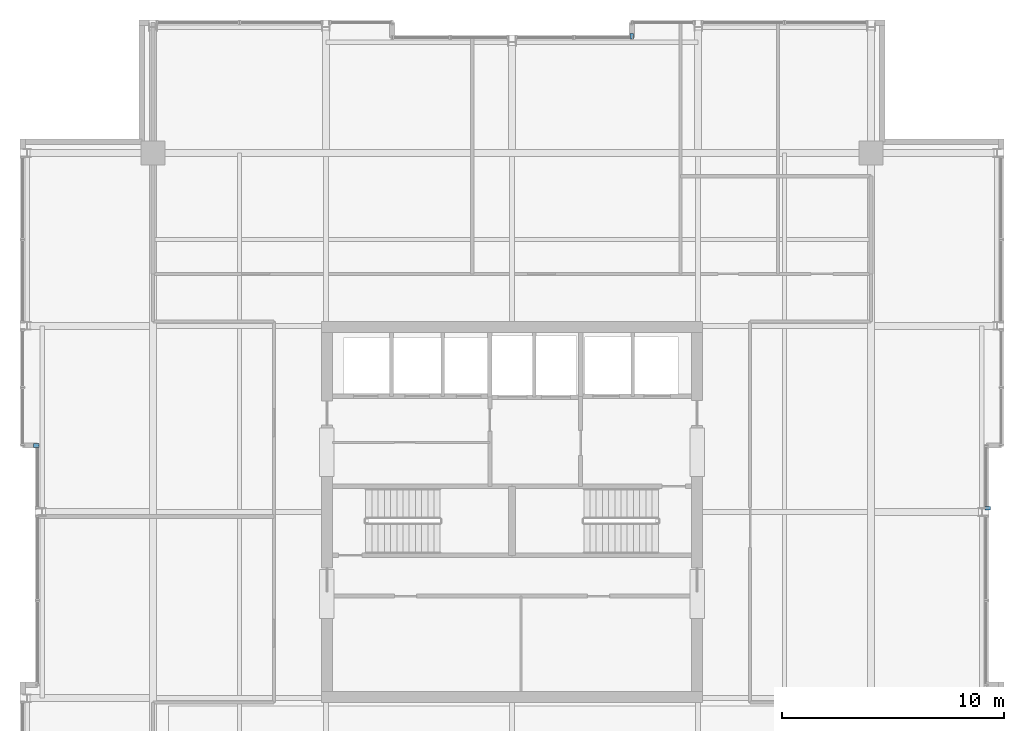
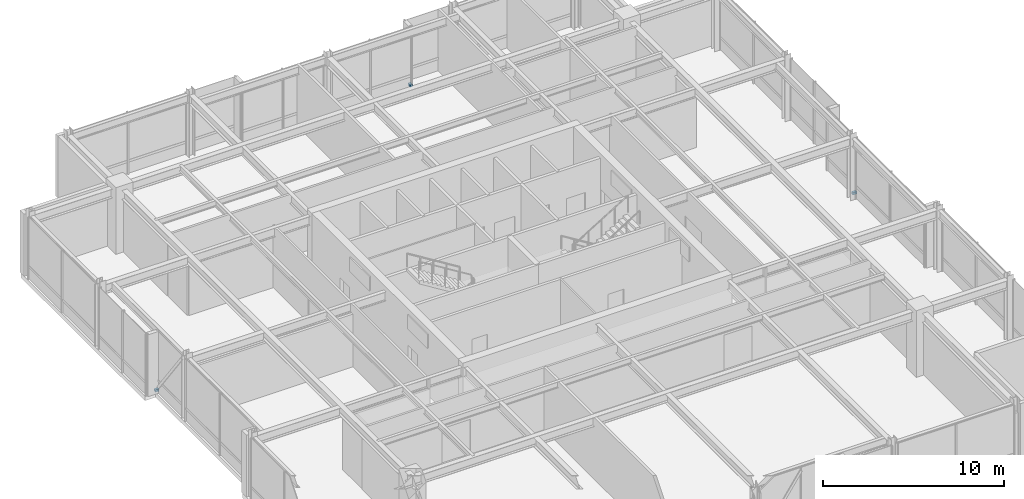
# One storey, part 29 of 32: 3 discrete accessories.
"""IFC4 building model written with IfcOpenShell, lengths in metres."""

from ifc_helpers import new_model, si_unit, direction, frame, origin, origin_2d, place, context, subcontext, project, spatial, rectangle, extrude, material, type_object, element, save


model = new_model("IFC4")

# Units and contexts
model_context = context("Model", 3, precision=1e-05, world=origin(), true_north=direction((0.0, 1.0)))
body_context = subcontext(model_context, "Body", "Model", "MODEL_VIEW")
ifc_project = project(units=[si_unit("LENGTHUNIT", "METRE"), si_unit("AREAUNIT", "SQUARE_METRE"), si_unit("VOLUMEUNIT", "CUBIC_METRE"), si_unit("PLANEANGLEUNIT", "RADIAN"), si_unit("MASSUNIT", "GRAM", prefix="KILO")], contexts=[model_context])

# Site, building, storey
site_placement = place(None, origin())
site = spatial("IfcSite", under=ifc_project, at=site_placement, CompositionType="ELEMENT")
building_placement = place(site_placement, origin())
building = spatial("IfcBuilding", under=site, at=building_placement, Name="Drelvath Grand Hotel", CompositionType="ELEMENT")
storey_placement = place(building_placement, frame((0.0, 0.0, 255.5)))
storey = spatial("IfcBuildingStorey", under=building, at=storey_placement, Name="L67", CompositionType="ELEMENT", Elevation=255.5)

# Discrete accessories
ifc_material = material(Name="Stainless Steel Grade 316", Category="steel")
discrete_accessory_type = type_object("IfcDiscreteAccessoryType", Name="Curtain Wall Fin Mounting Bracket Cleat", PredefinedType="BRACKET", material=ifc_material)
for number, where, z_axis, x_axis, name in (
    (1, (-21.4599609375, 30.0, 0.10009765625), (0.0, 0.0, 1.0), (0.0, 1.0, 0.0), "L67 Fin Mounting Bracket CW05-L67-WM2-1"),
    (2, (21.4599609375, 27.17822265625, 0.10009765625), (0.0, 0.0, 1.0), (0.0, -1.0, 0.0), "L67 Fin Mounting Bracket CW05-L67-EM2-1"),
    (3, (5.39990234375, 48.4599609375, 0.10009765625), (0.0, 0.0, 1.0), (1.0, 0.0, 0.0), "L67 Fin Mounting Bracket CW05-L67-NM2-1"),
):
    element("IfcDiscreteAccessory", number, at=place(storey_placement, frame(where, z_axis=z_axis, x_axis=x_axis)), inside=storey, type_object=discrete_accessory_type, Name=name, PredefinedType="BRACKET", context=body_context, shape_type="SweptSolid", body=[
        extrude(rectangle(XDim=0.159912109375, YDim=0.239990234375, at=origin_2d()), origin(), (0.0, 0.0, 1.0), 0.159912109375),
    ])

save(model, "model.ifc")
